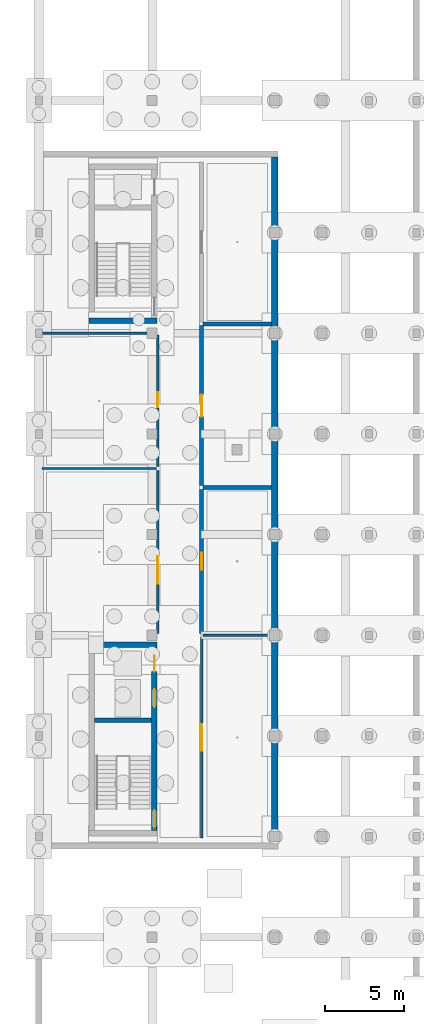
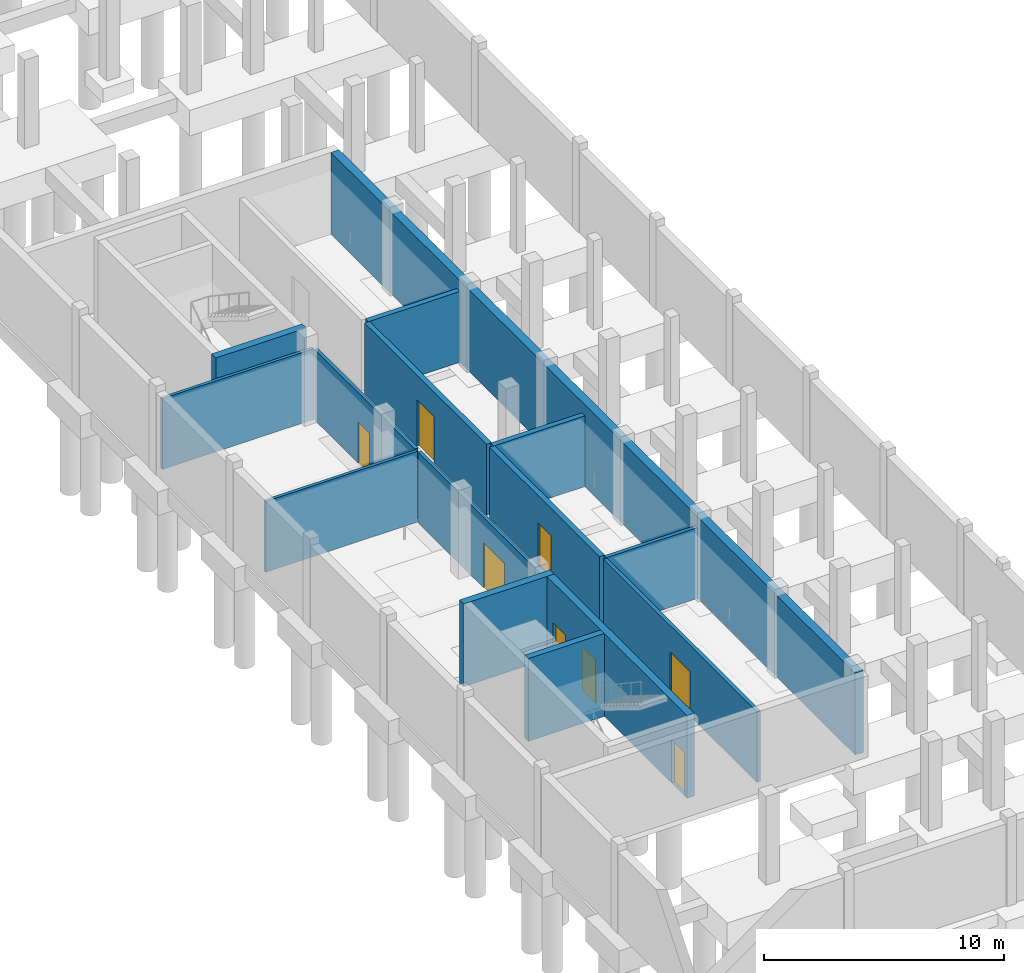
# One storey, part 11 of 21: 15 walls, 8 doors, 8 openings.
"""IFC4 building model written with IfcOpenShell, lengths in metres."""

from ifc_helpers import new_model, si_unit, derived_unit, direction, frame, frame_2d, origin, origin_with_axes, place, context, subcontext, project, spatial, rectangle, extrude, material, layer, layer_set, type_object, element, fill, save


model = new_model("IFC4")

# Units and contexts
model_context = context("Model", 3, precision=1e-05, world=origin(), true_north=direction((0.0, 1.0)))
body_context = subcontext(model_context, "Body", "Model", "MODEL_VIEW")
ifc_project = project(units=[si_unit("LENGTHUNIT", "METRE"), si_unit("AREAUNIT", "SQUARE_METRE"), si_unit("VOLUMEUNIT", "CUBIC_METRE"), si_unit("PLANEANGLEUNIT", "RADIAN"), si_unit("MASSUNIT", "GRAM", prefix="KILO"), derived_unit("THERMALTRANSMITTANCEUNIT", [(si_unit("POWERUNIT", "WATT"), 1), (si_unit("LENGTHUNIT", "METRE"), -2), (si_unit("THERMODYNAMICTEMPERATUREUNIT", "KELVIN"), -1)])], contexts=[model_context])

# Site, building, storey
site_placement = place(None, origin())
site = spatial("IfcSite", under=ifc_project, at=site_placement, CompositionType="ELEMENT")
building_placement = place(site_placement, origin())
building = spatial("IfcBuilding", under=site, at=building_placement, Name="Braskholm Square Health Centre", CompositionType="ELEMENT")
storey_placement = place(building_placement, frame((0.0, 0.0, -4.5)))
storey = spatial("IfcBuildingStorey", under=building, at=storey_placement, Name="B01", CompositionType="ELEMENT", Elevation=-4.5)

# Wall, opening, door
ifc_material_1 = material(Name="Fire-rated gypsum board barrier")
ifc_layer_1 = layer(ifc_material_1, 0.175048828125)
ifc_layer_set_1 = layer_set([ifc_layer_1], Name="Fire-rated gypsum board barrier")
wall_type_1 = type_object("IfcWallType", Name="AmbulatoryFirePartition175", PredefinedType="PARTITIONING", material=ifc_layer_set_1)
wall_1_placement = place(storey_placement, frame((14.550048828125, 16.919921875, 0.0), z_axis=(0.0, 0.0, 1.0), x_axis=(0.0, 1.0, 0.0)))
wall_1 = element("IfcWall", 1, at=wall_1_placement, inside=storey, type_object=wall_type_1, Name="Interior partition PWALL-B01-0001", PredefinedType="PARTITIONING", context=body_context, shape_type="SweptSolid", body=[
    extrude(rectangle(XDim=12.760009765625, YDim=0.175048828125, at=frame_2d((6.3798828125, 0.0))), origin(), (0.0, 0.0, 1.0), 3.594970703125),
])
opening_1_placement = place(wall_1_placement, frame((5.5400390625, 0.0, 0.0)))
opening_1 = element("IfcOpeningElement", 2, at=opening_1_placement, cuts=wall_1, Name="Opening D-19", PredefinedType="OPENING", context=body_context, shape_type="SweptSolid", body=[
    extrude(rectangle(XDim=1.679931640625, YDim=2.25, at=frame_2d((0.83984375, 1.125))), frame((0.0, 0.09765625, 0.0), z_axis=(0.0, -1.0, 0.0), x_axis=(1.0, 0.0, 0.0)), (0.0, 0.0, 1.0), 0.195068359375),
])
ifc_material_2 = material(Name="Architectural bronze anodised aluminium", Category="aluminium")
door_type_1 = type_object("IfcDoorType", Name="DoorFireBarrierPair1680x2250", OperationType="DOUBLE_DOOR_SINGLE_SWING", PredefinedType="DOOR", material=ifc_material_2)
door_1_placement = place(opening_1_placement, origin_with_axes())
door_1 = element("IfcDoor", 3, at=door_1_placement, inside=storey, type_object=door_type_1, Name="Interior door 0001 B01", OperationType="DOUBLE_DOOR_SINGLE_SWING", OverallHeight=2.25, OverallWidth=1.679931640625, PredefinedType="DOOR", context=body_context, shape_type="SweptSolid", body=[
    extrude(rectangle(XDim=1.679931640625, YDim=2.25, at=frame_2d((0.83984375, 1.125))), frame((0.0, 0.02490234375, 0.0), z_axis=(0.0, -1.0, 0.0), x_axis=(1.0, 0.0, 0.0)), (0.0, 0.0, 1.0), 0.050048828125),
])
fill(opening_1, door_1)

# Walls
wall_2_placement = place(storey_placement, frame((14.6201171875, 29.800048828125, 0.0), z_axis=(0.0, 0.0, 1.0), x_axis=(1.0, 0.0, 0.0)))
element("IfcWall", 4, at=wall_2_placement, inside=storey, type_object=wall_type_1, Name="Interior partition PWALL-B01-0002", PredefinedType="PARTITIONING", context=body_context, shape_type="SweptSolid", body=[
    extrude(rectangle(XDim=4.3798828125, YDim=0.175048828125, at=frame_2d((2.18994140625, 0.0))), origin(), (0.0, 0.0, 1.0), 3.594970703125),
])
ifc_material_3 = material(Name="Concrete C35/45 (f'c = 35 MPa)", Category="concrete")
ifc_layer_2 = layer(ifc_material_3, 0.39990234375)
ifc_layer_set_2 = layer_set([ifc_layer_2], Name="Concrete C35/45 (f'c = 35 MPa)")
wall_type_2 = type_object("IfcWallType", Name="BasementRetainingWall400", PredefinedType="SHEAR", material=ifc_layer_set_2)
wall_3_placement = place(storey_placement, frame((19.199951171875, 16.60009765625, 0.0), z_axis=(0.0, 0.0, 1.0), x_axis=(0.0, 1.0, 0.0)))
element("IfcWall", 5, at=wall_3_placement, inside=storey, type_object=wall_type_2, Name="Substructure perimeter retaining wall BW-B01W-E", PredefinedType="SHEAR", context=body_context, shape_type="SweptSolid", body=[
    extrude(rectangle(XDim=43.599853515625, YDim=0.39990234375, at=frame_2d((21.7998046875, 0.0))), origin(), (0.0, 0.0, 1.0), 4.14990234375),
])

# Wall, opening, door
ifc_material_4 = material(Name="Acoustic gypsum board partition")
ifc_layer_3 = layer(ifc_material_4, 0.14990234375)
ifc_layer_set_3 = layer_set([ifc_layer_3], Name="Acoustic gypsum board partition")
wall_type_3 = type_object("IfcWallType", Name="CorridorAcousticPartition150", PredefinedType="PARTITIONING", material=ifc_layer_set_3)
wall_4_placement = place(storey_placement, frame((11.75, 29.919921875, 0.0), z_axis=(0.0, 0.0, 1.0), x_axis=(0.0, 1.0, 0.0)))
wall_4 = element("IfcWall", 6, at=wall_4_placement, inside=storey, type_object=wall_type_3, Name="Interior partition PWALL-B01-0008", PredefinedType="PARTITIONING", context=body_context, shape_type="SweptSolid", body=[
    extrude(rectangle(XDim=10.360107421875, YDim=0.14990234375, at=frame_2d((5.18017578125, 0.0))), origin(), (0.0, 0.0, 1.0), 3.594970703125),
])
opening_2_placement = place(wall_4_placement, frame((3.156982421875, 0.0, 0.0)))
opening_2 = element("IfcOpeningElement", 7, at=opening_2_placement, cuts=wall_4, Name="Opening D-12", PredefinedType="OPENING", context=body_context, shape_type="SweptSolid", body=[
    extrude(rectangle(XDim=1.760009765625, YDim=2.300048828125, at=frame_2d((0.8798828125, 1.14990234375))), frame((0.0, 0.0849609375, 0.0), z_axis=(0.0, -1.0, 0.0), x_axis=(1.0, 0.0, 0.0)), (0.0, 0.0, 1.0), 0.169921875),
])
door_type_2 = type_object("IfcDoorType", Name="DoorRehabGymDouble1760x2300", OperationType="DOUBLE_DOOR_SINGLE_SWING", PredefinedType="DOOR", material=ifc_material_2)
door_2_placement = place(opening_2_placement, origin_with_axes())
door_2 = element("IfcDoor", 8, at=door_2_placement, inside=storey, type_object=door_type_2, Name="Interior door 0005 B01", OperationType="DOUBLE_DOOR_SINGLE_SWING", OverallHeight=2.300048828125, OverallWidth=1.760009765625, PredefinedType="DOOR", context=body_context, shape_type="SweptSolid", body=[
    extrude(rectangle(XDim=1.760009765625, YDim=2.300048828125, at=frame_2d((0.8798828125, 1.14990234375))), frame((0.0, 0.02490234375, 0.0), z_axis=(0.0, -1.0, 0.0), x_axis=(1.0, 0.0, 0.0)), (0.0, 0.0, 1.0), 0.050048828125),
])
fill(opening_2, door_2)

# Wall
wall_5_placement = place(storey_placement, frame((4.39990234375, 40.39990234375, 0.0), z_axis=(0.0, 0.0, 1.0), x_axis=(1.0, 0.0, 0.0)))
element("IfcWall", 9, at=wall_5_placement, inside=storey, type_object=wall_type_3, Name="Interior partition PWALL-B01-0009", PredefinedType="PARTITIONING", context=body_context, shape_type="SweptSolid", body=[
    extrude(rectangle(XDim=7.280029296875, YDim=0.14990234375, at=frame_2d((3.64013671875, 0.0))), origin(), (0.0, 0.0, 1.0), 3.594970703125),
])

# Wall, opening, door
wall_6_placement = place(storey_placement, frame((11.75, 40.52001953125, 0.0), z_axis=(0.0, 0.0, 1.0), x_axis=(0.0, 1.0, 0.0)))
wall_6 = element("IfcWall", 10, at=wall_6_placement, inside=storey, type_object=wall_type_3, Name="Interior partition PWALL-B01-0010", PredefinedType="PARTITIONING", context=body_context, shape_type="SweptSolid", body=[
    extrude(rectangle(XDim=8.35986328125, YDim=0.14990234375, at=frame_2d((4.179931640625, 0.0))), origin(), (0.0, 0.0, 1.0), 3.594970703125),
])
opening_3_placement = place(wall_6_placement, frame((3.77587890625, 0.0, 0.0)))
opening_3 = element("IfcOpeningElement", 11, at=opening_3_placement, cuts=wall_6, Name="Opening D-05", PredefinedType="OPENING", context=body_context, shape_type="SweptSolid", body=[
    extrude(rectangle(XDim=0.9599609375, YDim=2.10009765625, at=frame_2d((0.47998046875, 1.050048828125))), frame((0.0, 0.0849609375, 0.0), z_axis=(0.0, -1.0, 0.0), x_axis=(1.0, 0.0, 0.0)), (0.0, 0.0, 1.0), 0.169921875),
])
door_type_3 = type_object("IfcDoorType", Name="DoorAccessibleWC960x2100", OperationType="NOTDEFINED", PredefinedType="DOOR", material=ifc_material_2)
door_3_placement = place(opening_3_placement, origin_with_axes())
door_3 = element("IfcDoor", 12, at=door_3_placement, inside=storey, type_object=door_type_3, Name="Interior door 0006 B01", OperationType="SINGLE_SWING_LEFT", OverallHeight=2.10009765625, OverallWidth=0.9599609375, PredefinedType="DOOR", context=body_context, shape_type="SweptSolid", body=[
    extrude(rectangle(XDim=0.9599609375, YDim=2.10009765625, at=frame_2d((0.47998046875, 1.050048828125))), frame((0.0, 0.02490234375, 0.0), z_axis=(0.0, -1.0, 0.0), x_axis=(1.0, 0.0, 0.0)), (0.0, 0.0, 1.0), 0.050048828125),
])
fill(opening_3, door_3)

# Wall
wall_7_placement = place(storey_placement, frame((4.39990234375, 49.0, 0.0), z_axis=(0.0, 0.0, 1.0), x_axis=(1.0, 0.0, 0.0)))
element("IfcWall", 13, at=wall_7_placement, inside=storey, type_object=wall_type_3, Name="Interior partition PWALL-B01-0011", PredefinedType="PARTITIONING", context=body_context, shape_type="SweptSolid", body=[
    extrude(rectangle(XDim=7.280029296875, YDim=0.14990234375, at=frame_2d((3.64013671875, 0.0))), origin(), (0.0, 0.0, 1.0), 3.594970703125),
])

# Wall, opening, door
ifc_layer_4 = layer(ifc_material_3, 0.25)
ifc_layer_set_4 = layer_set([ifc_layer_4], Name="Concrete C35/45 (f'c = 35 MPa)")
wall_type_4 = type_object("IfcWallType", Name="FireBarrierWall250", PredefinedType="SOLIDWALL", material=ifc_layer_set_4)
wall_8_placement = place(storey_placement, frame((14.550048828125, 29.919921875, 0.0), z_axis=(0.0, 0.0, 1.0), x_axis=(0.0, 1.0, 0.0)))
wall_8 = element("IfcWall", 14, at=wall_8_placement, inside=storey, type_object=wall_type_4, Name="Interior partition PWALL-B01-0003", PredefinedType="SOLIDWALL", context=body_context, shape_type="SweptSolid", body=[
    extrude(rectangle(XDim=9.16015625, YDim=0.25, at=frame_2d((4.580078125, 0.0))), origin(), (0.0, 0.0, 1.0), 3.594970703125),
])
opening_4_placement = place(wall_8_placement, frame((4.0400390625, 0.0, 0.0)))
opening_4 = element("IfcOpeningElement", 15, at=opening_4_placement, cuts=wall_8, Name="Opening D-13", PredefinedType="OPENING", context=body_context, shape_type="SweptSolid", body=[
    extrude(rectangle(XDim=1.080078125, YDim=2.199951171875, at=frame_2d((0.5400390625, 1.10009765625))), frame((0.0, 0.135009765625, 0.0), z_axis=(0.0, -1.0, 0.0), x_axis=(1.0, 0.0, 0.0)), (0.0, 0.0, 1.0), 0.27001953125),
])
door_type_4 = type_object("IfcDoorType", Name="DoorPharmacySecure1080x2200", OperationType="NOTDEFINED", PredefinedType="DOOR", material=ifc_material_2)
door_4_placement = place(opening_4_placement, origin_with_axes())
door_4 = element("IfcDoor", 16, at=door_4_placement, inside=storey, type_object=door_type_4, Name="Interior door 0002 B01", OperationType="SINGLE_SWING_RIGHT", OverallHeight=2.199951171875, OverallWidth=1.080078125, PredefinedType="DOOR", context=body_context, shape_type="SweptSolid", body=[
    extrude(rectangle(XDim=1.080078125, YDim=2.199951171875, at=frame_2d((0.5400390625, 1.10009765625))), frame((0.0, 0.02490234375, 0.0), z_axis=(0.0, -1.0, 0.0), x_axis=(1.0, 0.0, 0.0)), (0.0, 0.0, 1.0), 0.050048828125),
])
fill(opening_4, door_4)

# Wall
wall_9_placement = place(storey_placement, frame((14.6201171875, 39.199951171875, 0.0), z_axis=(0.0, 0.0, 1.0), x_axis=(1.0, 0.0, 0.0)))
element("IfcWall", 17, at=wall_9_placement, inside=storey, type_object=wall_type_4, Name="Interior partition PWALL-B01-0004", PredefinedType="SOLIDWALL", context=body_context, shape_type="SweptSolid", body=[
    extrude(rectangle(XDim=4.3798828125, YDim=0.25, at=frame_2d((2.18994140625, 0.0))), origin(), (0.0, 0.0, 1.0), 3.594970703125),
])

# Wall, opening, door
wall_10_placement = place(storey_placement, frame((14.550048828125, 39.320068359375, 0.0), z_axis=(0.0, 0.0, 1.0), x_axis=(0.0, 1.0, 0.0)))
wall_10 = element("IfcWall", 18, at=wall_10_placement, inside=storey, type_object=wall_type_4, Name="Interior partition PWALL-B01-0005", PredefinedType="SOLIDWALL", context=body_context, shape_type="SweptSolid", body=[
    extrude(rectangle(XDim=10.159912109375, YDim=0.25, at=frame_2d((5.080078125, 0.0))), origin(), (0.0, 0.0, 1.0), 3.594970703125),
])
opening_5_placement = place(wall_10_placement, frame((4.3798828125, 0.0, 0.0)))
opening_5 = element("IfcOpeningElement", 19, at=opening_5_placement, cuts=wall_10, Name="Opening D-23", PredefinedType="OPENING", context=body_context, shape_type="SweptSolid", body=[
    extrude(rectangle(XDim=1.39990234375, YDim=2.35009765625, at=frame_2d((0.699951171875, 1.175048828125))), frame((0.0, 0.135009765625, 0.0), z_axis=(0.0, -1.0, 0.0), x_axis=(1.0, 0.0, 0.0)), (0.0, 0.0, 1.0), 0.27001953125),
])
door_type_5 = type_object("IfcDoorType", Name="DoorPlantFire1400x2350", OperationType="DOUBLE_DOOR_SINGLE_SWING", PredefinedType="DOOR", material=ifc_material_2)
door_5_placement = place(opening_5_placement, origin_with_axes())
door_5 = element("IfcDoor", 20, at=door_5_placement, inside=storey, type_object=door_type_5, Name="Interior door 0003 B01", OperationType="DOUBLE_DOOR_SINGLE_SWING", OverallHeight=2.35009765625, OverallWidth=1.39990234375, PredefinedType="DOOR", context=body_context, shape_type="SweptSolid", body=[
    extrude(rectangle(XDim=1.39990234375, YDim=2.35009765625, at=frame_2d((0.699951171875, 1.175048828125))), frame((0.0, 0.02490234375, 0.0), z_axis=(0.0, -1.0, 0.0), x_axis=(1.0, 0.0, 0.0)), (0.0, 0.0, 1.0), 0.050048828125),
])
fill(opening_5, door_5)

# Walls
wall_11_placement = place(storey_placement, frame((14.6201171875, 49.60009765625, 0.0), z_axis=(0.0, 0.0, 1.0), x_axis=(1.0, 0.0, 0.0)))
element("IfcWall", 21, at=wall_11_placement, inside=storey, type_object=wall_type_4, Name="Interior partition PWALL-B01-0006", PredefinedType="SOLIDWALL", context=body_context, shape_type="SweptSolid", body=[
    extrude(rectangle(XDim=4.3798828125, YDim=0.25, at=frame_2d((2.18994140625, 0.0))), origin(), (0.0, 0.0, 1.0), 3.594970703125),
])
ifc_material_5 = material(Name="Concrete C40/50 (f'c = 40 MPa)", Category="concrete")
ifc_layer_5 = layer(ifc_material_5, 0.300048828125)
ifc_layer_set_5 = layer_set([ifc_layer_5], Name="Concrete C40/50 (f'c = 40 MPa)")
wall_type_5 = type_object("IfcWallType", Name="ShearCoreWall300", PredefinedType="SHEAR", material=ifc_layer_set_5)
wall_12_placement = place(storey_placement, frame((7.72509765625, 24.39990234375, 0.0), z_axis=(0.0, 0.0, 1.0), x_axis=(1.0, 0.0, 0.0)))
element("IfcWall", 22, at=wall_12_placement, inside=storey, type_object=wall_type_5, Name="Core K1 internal shear divider B01", PredefinedType="SHEAR", context=body_context, shape_type="SweptSolid", body=[
    extrude(rectangle(XDim=3.64990234375, YDim=0.300048828125, at=frame_2d((1.824951171875, 0.0))), origin(), (0.0, 0.0, 1.0), 4.199951171875),
])
ifc_layer_6 = layer(ifc_material_5, 0.35009765625)
ifc_layer_set_6 = layer_set([ifc_layer_6], Name="Concrete C40/50 (f'c = 40 MPa)")
wall_type_6 = type_object("IfcWallType", Name="ShearCoreWall350", PredefinedType="SHEAR", material=ifc_layer_set_6)
wall_13_placement = place(storey_placement, frame((11.72509765625, 29.199951171875, 0.0), z_axis=(0.0, 0.0, 1.0), x_axis=(-1.0, 0.0, 0.0)))
element("IfcWall", 23, at=wall_13_placement, inside=storey, type_object=wall_type_6, Name="CWALL-K1-B01 north wall", PredefinedType="SHEAR", context=body_context, shape_type="SweptSolid", body=[
    extrude(rectangle(XDim=4.35009765625, YDim=0.35009765625, at=frame_2d((2.175048828125, 0.0))), origin(), (0.0, 0.0, 1.0), 4.199951171875),
])

# Wall, openings, doors
wall_14_placement = place(storey_placement, frame((11.550048828125, 17.375, 0.0), z_axis=(0.0, 0.0, 1.0), x_axis=(0.0, 1.0, 0.0)))
wall_14 = element("IfcWall", 24, at=wall_14_placement, inside=storey, type_object=wall_type_6, Name="CWALL-K1-B01 east wall", PredefinedType="SHEAR", context=body_context, shape_type="SweptSolid", body=[
    extrude(rectangle(XDim=11.64990234375, YDim=0.35009765625, at=frame_2d((5.824951171875, 0.0))), origin(), (0.0, 0.0, 1.0), 4.199951171875),
])
opening_6_placement = place(wall_14_placement, frame((0.199951171875, 0.0, 0.0)))
opening_6 = element("IfcOpeningElement", 25, at=opening_6_placement, cuts=wall_14, Name="Opening D-22", PredefinedType="OPENING", context=body_context, shape_type="SweptSolid", body=[
    extrude(rectangle(XDim=1.10009765625, YDim=2.199951171875, at=frame_2d((0.550048828125, 1.10009765625))), frame((0.0, 0.18505859375, 0.0), z_axis=(0.0, -1.0, 0.0), x_axis=(1.0, 0.0, 0.0)), (0.0, 0.0, 1.0), 0.3701171875),
])
opening_7_placement = place(wall_14_placement, frame((7.85009765625, 0.0, 0.0)))
opening_7 = element("IfcOpeningElement", 26, at=opening_7_placement, cuts=wall_14, Name="Opening LD-1", PredefinedType="OPENING", context=body_context, shape_type="SweptSolid", body=[
    extrude(rectangle(XDim=1.14990234375, YDim=2.199951171875, at=frame_2d((0.574951171875, 1.10009765625))), frame((0.0, 0.18505859375, 0.0), z_axis=(0.0, -1.0, 0.0), x_axis=(1.0, 0.0, 0.0)), (0.0, 0.0, 1.0), 0.3701171875),
])
opening_8_placement = place(wall_14_placement, frame((10.114990234375, 0.0, 0.0)))
opening_8 = element("IfcOpeningElement", 27, at=opening_8_placement, cuts=wall_14, Name="Opening LD-2", PredefinedType="OPENING", context=body_context, shape_type="SweptSolid", body=[
    extrude(rectangle(XDim=1.02001953125, YDim=2.14990234375, at=frame_2d((0.510009765625, 1.074951171875))), frame((0.0, 0.18505859375, 0.0), z_axis=(0.0, -1.0, 0.0), x_axis=(1.0, 0.0, 0.0)), (0.0, 0.0, 1.0), 0.3701171875),
])
door_type_6 = type_object("IfcDoorType", Name="DoorLiftLandingPassenger1020x2150", OperationType="SLIDING_TO_LEFT", PredefinedType="DOOR", material=ifc_material_2)
door_6_placement = place(opening_8_placement, origin_with_axes())
door_6 = element("IfcDoor", 28, at=door_6_placement, inside=storey, type_object=door_type_6, Name="Elevator EL-03 sliding landing door B01", OperationType="SLIDING_TO_LEFT", OverallHeight=2.14990234375, OverallWidth=1.02001953125, PredefinedType="DOOR", context=body_context, shape_type="SweptSolid", body=[
    extrude(rectangle(XDim=1.02001953125, YDim=2.14990234375, at=frame_2d((0.510009765625, 1.074951171875))), frame((0.0, 0.02490234375, 0.0), z_axis=(0.0, -1.0, 0.0), x_axis=(1.0, 0.0, 0.0)), (0.0, 0.0, 1.0), 0.050048828125),
])
fill(opening_8, door_6)
door_type_7 = type_object("IfcDoorType", Name="DoorLiftLandingStretcher1150x2200", OperationType="SLIDING_TO_LEFT", PredefinedType="DOOR", material=ifc_material_2)
door_7_placement = place(opening_7_placement, origin_with_axes())
door_7 = element("IfcDoor", 29, at=door_7_placement, inside=storey, type_object=door_type_7, Name="Elevator EL-01 sliding landing door B01", OperationType="SLIDING_TO_LEFT", OverallHeight=2.199951171875, OverallWidth=1.14990234375, PredefinedType="DOOR", context=body_context, shape_type="SweptSolid", body=[
    extrude(rectangle(XDim=1.14990234375, YDim=2.199951171875, at=frame_2d((0.574951171875, 1.10009765625))), frame((0.0, 0.02490234375, 0.0), z_axis=(0.0, -1.0, 0.0), x_axis=(1.0, 0.0, 0.0)), (0.0, 0.0, 1.0), 0.050048828125),
])
fill(opening_7, door_7)
door_type_8 = type_object("IfcDoorType", Name="DoorStairEnclosure1100x2200", OperationType="NOTDEFINED", PredefinedType="DOOR", material=ifc_material_2)
door_8_placement = place(opening_6_placement, origin_with_axes())
door_8 = element("IfcDoor", 30, at=door_8_placement, inside=storey, type_object=door_type_8, Name="Stair ST-01 door B01", OperationType="SINGLE_SWING_RIGHT", OverallHeight=2.199951171875, OverallWidth=1.10009765625, PredefinedType="DOOR", context=body_context, shape_type="SweptSolid", body=[
    extrude(rectangle(XDim=1.10009765625, YDim=2.199951171875, at=frame_2d((0.550048828125, 1.10009765625))), frame((0.0, 0.02490234375, 0.0), z_axis=(0.0, -1.0, 0.0), x_axis=(1.0, 0.0, 0.0)), (0.0, 0.0, 1.0), 0.050048828125),
])
fill(opening_6, door_8)

# Wall
wall_15_placement = place(storey_placement, frame((7.375, 49.800048828125, 0.0), z_axis=(0.0, 0.0, 1.0), x_axis=(1.0, 0.0, 0.0)))
element("IfcWall", 31, at=wall_15_placement, inside=storey, type_object=wall_type_6, Name="CWALL-K2-B01 south wall", PredefinedType="SHEAR", context=body_context, shape_type="SweptSolid", body=[
    extrude(rectangle(XDim=4.35009765625, YDim=0.35009765625, at=frame_2d((2.175048828125, 0.0))), origin(), (0.0, 0.0, 1.0), 4.199951171875),
])

save(model, "model.ifc")
